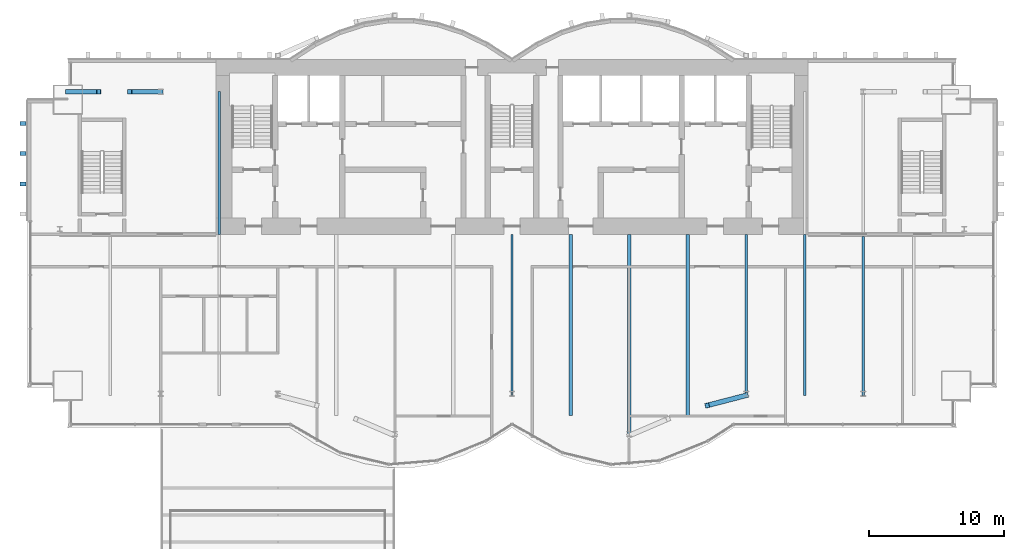
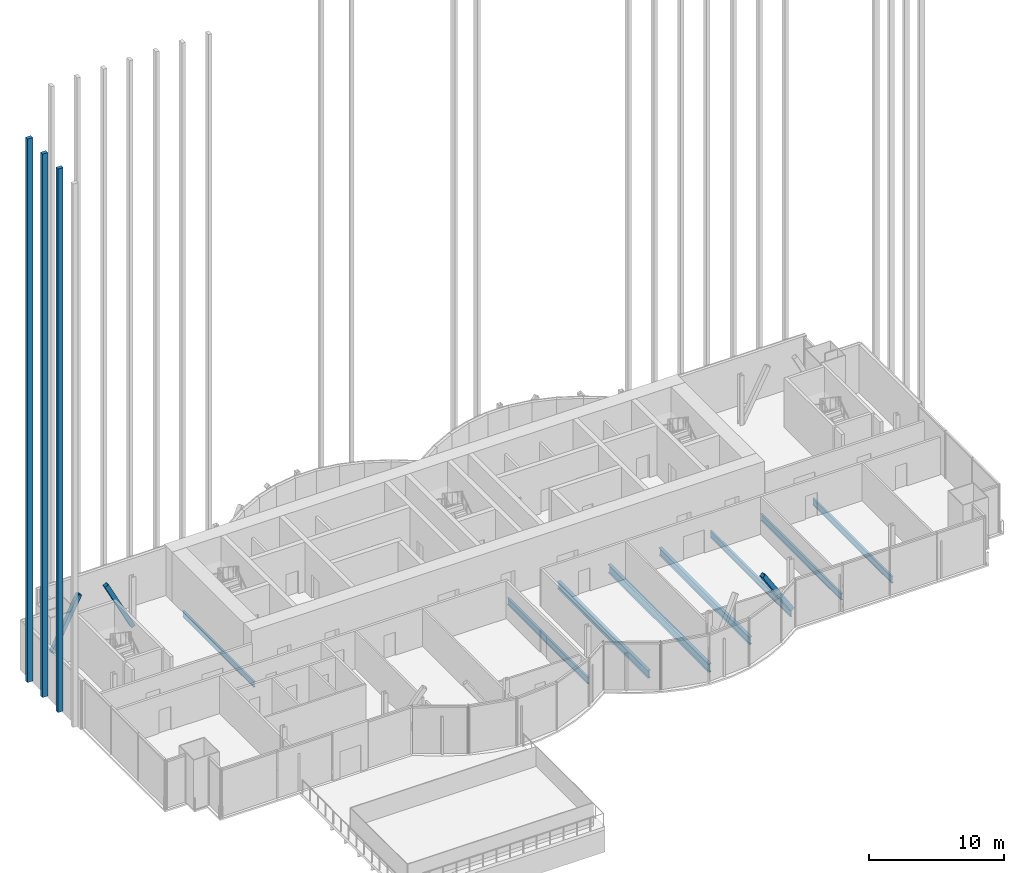
# One storey, part 9 of 22: 8 beams, 6 members, 1 element without a shape of its own.
"""IFC4 building model written with IfcOpenShell, lengths in metres."""

from ifc_helpers import new_model, si_unit, direction, frame, origin, origin_2d, place, context, subcontext, project, spatial, rectangle, hollow_rectangle, i_section, extrude, material, material_profile, profile_set, type_object, element, aggregate, save


model = new_model("IFC4")

# Units and contexts
model_context = context("Model", 3, precision=1e-05, world=origin(), true_north=direction((0.0, 1.0)))
body_context = subcontext(model_context, "Body", "Model", "MODEL_VIEW")
ifc_project = project(units=[si_unit("LENGTHUNIT", "METRE"), si_unit("AREAUNIT", "SQUARE_METRE"), si_unit("VOLUMEUNIT", "CUBIC_METRE"), si_unit("PLANEANGLEUNIT", "RADIAN"), si_unit("MASSUNIT", "GRAM", prefix="KILO")], contexts=[model_context])

# Site, building, storey
site_placement = place(None, origin())
site = spatial("IfcSite", under=ifc_project, at=site_placement, CompositionType="ELEMENT")
building_placement = place(site_placement, origin())
building = spatial("IfcBuilding", under=site, at=building_placement, Name="Bicima Exchange Tower", CompositionType="ELEMENT")
storey_placement = place(building_placement, frame((0.0, 0.0, 293.0)))
storey = spatial("IfcBuildingStorey", under=building, at=storey_placement, Name="L66", CompositionType="ELEMENT", Elevation=293.0)

# Beams
ifc_material_1 = material(Name="Steel ASTM A992 Gr 50", Category="steel")
ifc_material_profile_1 = material_profile(ifc_material_1, i_section(OverallWidth=0.165771484375, OverallDepth=0.5283203125, WebThickness=0.009765625, FlangeThickness=0.013671875, at=origin_2d()))
ifc_profile_set_1 = profile_set([ifc_material_profile_1], Name="Steel ASTM A992 Gr 50")
beam_type_1 = type_object("IfcBeamType", Name="Floor beam W21x50", PredefinedType="JOIST", material=ifc_profile_set_1)
beam_1_placement = place(storey_placement, frame((-21.75, -2.39990234375, -0.414306640625), z_axis=(0.0, -1.0, 0.0), x_axis=(1.0, 0.0, 0.0)))
element("IfcBeam", 1, at=beam_1_placement, inside=storey, type_object=beam_type_1, Name="Floor beam", PredefinedType="JOIST", context=body_context, shape_type="SweptSolid", body=[
    extrude(i_section(OverallWidth=0.165771484375, OverallDepth=0.5283203125, WebThickness=0.009765625, FlangeThickness=0.013671875, at=origin_2d()), origin(), (0.0, 0.0, 1.0), 10.60009765625),
])
ifc_material_profile_2 = material_profile(ifc_material_1, i_section(OverallWidth=0.177978515625, OverallDepth=0.599365234375, WebThickness=0.010009765625, FlangeThickness=0.012939453125, at=origin_2d()))
ifc_profile_set_2 = profile_set([ifc_material_profile_2], Name="Steel ASTM A992 Gr 50")
beam_type_2 = type_object("IfcBeamType", Name="Floor beam W24x55", PredefinedType="JOIST", material=ifc_profile_set_2)
for number, where, z_axis, x_axis, name in (
    (2, (0.0, -13.0, -0.44970703125), (0.0, -1.0, 0.0), (1.0, 0.0, 0.0), "Floor beam"),
    (3, (17.39990234375, -13.0, -0.44970703125), (0.0, -1.0, 0.0), (1.0, 0.0, 0.0), "Floor beam"),
    (4, (21.75, -13.0, -0.44970703125), (0.0, -1.0, 0.0), (1.0, 0.0, 0.0), "Floor beam"),
):
    element("IfcBeam", number, at=place(storey_placement, frame(where, z_axis=z_axis, x_axis=x_axis)), inside=storey, type_object=beam_type_2, Name=name, PredefinedType="JOIST", context=body_context, shape_type="SweptSolid", body=[
        extrude(i_section(OverallWidth=0.177978515625, OverallDepth=0.599365234375, WebThickness=0.010009765625, FlangeThickness=0.012939453125, at=origin_2d()), origin(), (0.0, 0.0, 1.0), 11.9599609375),
    ])
beam_2_placement = place(storey_placement, frame((26.10009765625, -13.15234375, -0.44970703125), z_axis=(0.0, -1.0, 0.0), x_axis=(1.0, 0.0, 0.0)))
element("IfcBeam", 5, at=beam_2_placement, inside=storey, type_object=beam_type_2, Name="Floor beam", PredefinedType="JOIST", context=body_context, shape_type="SweptSolid", body=[
    extrude(i_section(OverallWidth=0.177978515625, OverallDepth=0.599365234375, WebThickness=0.010009765625, FlangeThickness=0.012939453125, at=origin_2d()), origin(), (0.0, 0.0, 1.0), 11.8076171875),
])
ifc_material_profile_3 = material_profile(ifc_material_1, i_section(OverallWidth=0.25390625, OverallDepth=0.67822265625, WebThickness=0.01171875, FlangeThickness=0.016357421875, at=origin_2d()))
ifc_profile_set_3 = profile_set([ifc_material_profile_3], Name="Steel ASTM A992 Gr 50")
beam_type_3 = type_object("IfcBeamType", Name="Floor beam W27x84", PredefinedType="JOIST", material=ifc_profile_set_3)
for number, where, z_axis, x_axis, name in (
    (6, (4.35009765625, -13.0, -0.489013671875), (0.0, -1.0, 0.0), (1.0, 0.0, 0.0), "Floor beam"),
    (7, (13.050048828125, -13.0, -0.489013671875), (0.0, -1.0, 0.0), (1.0, 0.0, 0.0), "Floor beam"),
):
    element("IfcBeam", number, at=place(storey_placement, frame(where, z_axis=z_axis, x_axis=x_axis)), inside=storey, type_object=beam_type_3, Name=name, PredefinedType="JOIST", context=body_context, shape_type="SweptSolid", body=[
        extrude(i_section(OverallWidth=0.25390625, OverallDepth=0.67822265625, WebThickness=0.01171875, FlangeThickness=0.016357421875, at=origin_2d()), origin(), (0.0, 0.0, 1.0), 13.45556640625),
    ])
ifc_material_profile_4 = material_profile(ifc_material_1, i_section(OverallWidth=0.2666015625, OverallDepth=0.75439453125, WebThickness=0.01318359375, FlangeThickness=0.01708984375, at=origin_2d()))
ifc_profile_set_4 = profile_set([ifc_material_profile_4], Name="Steel ASTM A992 Gr 50")
beam_type_4 = type_object("IfcBeamType", Name="Floor beam W30x99", PredefinedType="JOIST", material=ifc_profile_set_4)
beam_3_placement = place(storey_placement, frame((8.699951171875, -13.0, -0.527099609375), z_axis=(0.0, -1.0, 0.0), x_axis=(1.0, 0.0, 0.0)))
element("IfcBeam", 8, at=beam_3_placement, inside=storey, type_object=beam_type_4, Name="Floor beam", PredefinedType="JOIST", context=body_context, shape_type="SweptSolid", body=[
    extrude(i_section(OverallWidth=0.2666015625, OverallDepth=0.75439453125, WebThickness=0.01318359375, FlangeThickness=0.01708984375, at=origin_2d()), origin(), (0.0, 0.0, 1.0), 14.951171875),
])

# Members
ifc_material_2 = material(Name="Steel ASTM A572 Gr 50", Category="steel")
ifc_material_profile_5 = material_profile(ifc_material_2, hollow_rectangle(XDim=0.355712890625, YDim=0.355712890625, WallThickness=0.01171875, at=origin_2d()))
ifc_profile_set_5 = profile_set([ifc_material_profile_5], Name="Steel ASTM A572 Gr 50")
member_type_1 = type_object("IfcMemberType", Name="Mega brace HSS14x14x1/2", PredefinedType="BRACE", material=ifc_profile_set_5)
member_1_placement = place(storey_placement, frame((17.39990234375, -24.9599609375, 0.0), z_axis=(-0.536409154739, -0.13927309591, 0.832387063491), x_axis=(0.251307155067, -0.967907389068, 0.0)))
element("IfcMember", 9, at=member_1_placement, inside=storey, type_object=member_type_1, Name="Mega brace front", PredefinedType="BRACE", context=body_context, shape_type="SweptSolid", body=[
    extrude(hollow_rectangle(XDim=0.355712890625, YDim=0.355712890625, WallThickness=0.01171875, at=origin_2d()), origin(), (0.0, 0.0, 1.0), 5.40625),
])
for number, where, z_axis, x_axis, name in (
    (10, (-33.0, -2.39990234375, 0.0), (0.455118720355, 0.0, 0.890430766754), (0.0, 1.0, 0.0), "Mega brace rear"),
    (11, (-26.10009765625, -2.39990234375, 0.0), (-0.455080416514, 0.0, 0.89045034365), (0.0, -1.0, 0.0), "Mega brace rear"),
):
    element("IfcMember", number, at=place(storey_placement, frame(where, z_axis=z_axis, x_axis=x_axis)), inside=storey, type_object=member_type_1, Name=name, PredefinedType="BRACE", context=body_context, shape_type="SweptSolid", body=[
        extrude(hollow_rectangle(XDim=0.355712890625, YDim=0.355712890625, WallThickness=0.01171875, at=origin_2d()), origin(), (0.0, 0.0, 1.0), 5.0537109375),
    ])

# Curtain wall, members
ifc_material_3 = material(Name="Anodised bronze aluminium", Category="aluminium")
curtain_wall_type = type_object("IfcCurtainWallType", Name="Rear blade screen", PredefinedType="NOTDEFINED", material=ifc_material_3)
curtain_wall_placement = place(storey_placement, origin())
curtain_wall = element("IfcCurtainWall", 12, at=curtain_wall_placement, inside=storey, type_object=curtain_wall_type, Name="End blade screen L66-L76", PredefinedType="NOTDEFINED")
ifc_material_profile_6 = material_profile(ifc_material_3, rectangle(XDim=0.449951171875, YDim=0.300048828125, at=origin_2d()))
ifc_profile_set_6 = profile_set([ifc_material_profile_6], Name="Anodised bronze aluminium")
member_type_2 = type_object("IfcMemberType", Name="Rear blade fin 450 x 300", PredefinedType="USERDEFINED", material=ifc_profile_set_6)
member_2_placement = place(storey_placement, frame((-36.324951171875, -9.25, 0.0), z_axis=(0.0, 0.0, 1.0), x_axis=(1.0, 0.0, 0.0)))
member_2 = element("IfcMember", 13, at=member_2_placement, type_object=member_type_2, Name="End blade fin L66-L76 2", ObjectType="FIN", PredefinedType="USERDEFINED", context=body_context, shape_type="SweptSolid", body=[
    extrude(rectangle(XDim=0.449951171875, YDim=0.300048828125, at=origin_2d()), origin(), (0.0, 0.0, 1.0), 49.300048828125),
])
member_3_placement = place(storey_placement, frame((-36.324951171875, -7.0, 0.0), z_axis=(0.0, 0.0, 1.0), x_axis=(1.0, 0.0, 0.0)))
member_3 = element("IfcMember", 14, at=member_3_placement, type_object=member_type_2, Name="End blade fin L66-L76 3", ObjectType="FIN", PredefinedType="USERDEFINED", context=body_context, shape_type="SweptSolid", body=[
    extrude(rectangle(XDim=0.449951171875, YDim=0.300048828125, at=origin_2d()), origin(), (0.0, 0.0, 1.0), 49.300048828125),
])
member_4_placement = place(storey_placement, frame((-36.324951171875, -4.75, 0.0), z_axis=(0.0, 0.0, 1.0), x_axis=(1.0, 0.0, 0.0)))
member_4 = element("IfcMember", 15, at=member_4_placement, type_object=member_type_2, Name="End blade fin L66-L76 4", ObjectType="FIN", PredefinedType="USERDEFINED", context=body_context, shape_type="SweptSolid", body=[
    extrude(rectangle(XDim=0.449951171875, YDim=0.300048828125, at=origin_2d()), origin(), (0.0, 0.0, 1.0), 49.300048828125),
])
aggregate(curtain_wall, [member_2, member_3, member_4])

save(model, "model.ifc")
